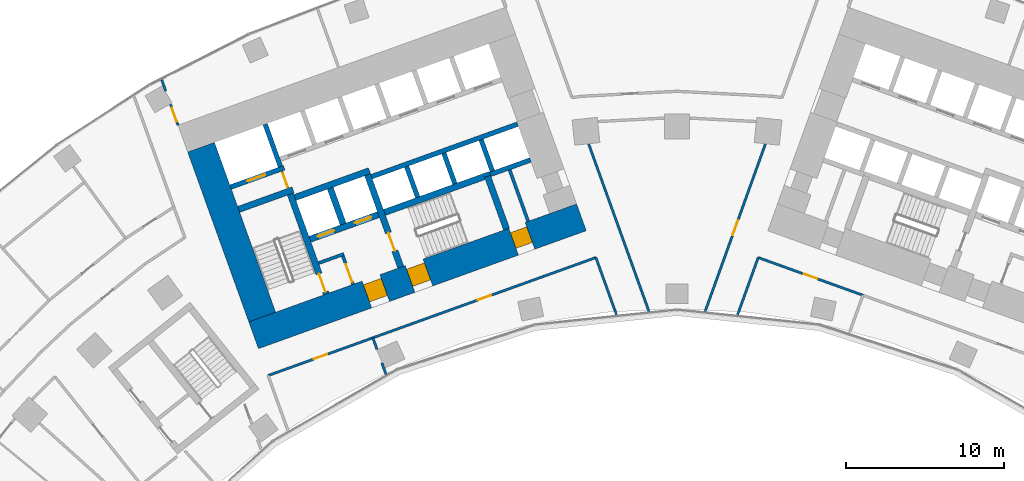
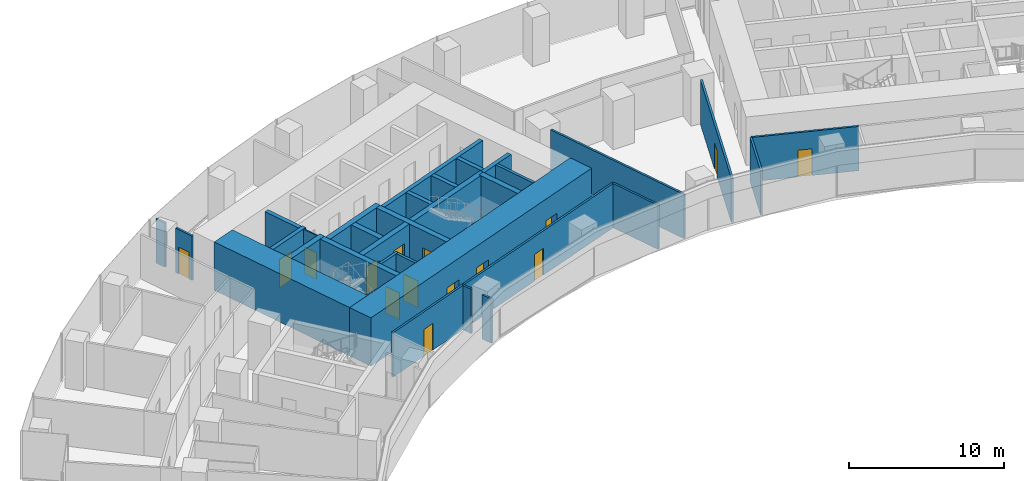
# One storey, part 15 of 21: 31 walls, 15 doors, 15 openings.
"""IFC4 building model written with IfcOpenShell, lengths in metres."""

from ifc_helpers import new_model, si_unit, direction, frame, frame_2d, origin, place, context, subcontext, project, spatial, rectangle, extrude, material, layer, layer_set, type_object, element, fill, save


model = new_model("IFC4")

# Units and contexts
model_context = context("Model", 3, precision=1e-05, world=origin(), true_north=direction((0.0, 1.0)))
body_context = subcontext(model_context, "Body", "Model", "MODEL_VIEW")
ifc_project = project(units=[si_unit("LENGTHUNIT", "METRE"), si_unit("AREAUNIT", "SQUARE_METRE"), si_unit("VOLUMEUNIT", "CUBIC_METRE"), si_unit("PLANEANGLEUNIT", "RADIAN"), si_unit("MASSUNIT", "GRAM", prefix="KILO")], contexts=[model_context])

# Site, building, storey
site_placement = place(None, origin())
site = spatial("IfcSite", under=ifc_project, at=site_placement, CompositionType="ELEMENT")
building_placement = place(site_placement, origin())
building = spatial("IfcBuilding", under=site, at=building_placement, Name="Stone Belt Terrace Tower", CompositionType="ELEMENT")
storey_placement = place(building_placement, frame((0.0, 0.0, 71.800048828125)))
storey = spatial("IfcBuildingStorey", under=building, at=storey_placement, Name="L17", CompositionType="ELEMENT", Elevation=71.800048828125)

# Wall, opening, door
ifc_material_1 = material(Name="Plasterboard partition")
ifc_layer_1 = layer(ifc_material_1, 0.10009765625)
ifc_layer_set_1 = layer_set([ifc_layer_1], Name="Core partition 100")
wall_type_1 = type_object("IfcWallType", Name="Core partition 100", PredefinedType="PARTITIONING", material=ifc_layer_set_1)
wall_1_placement = place(storey_placement, frame((-24.555908203125, 51.10400390625, 0.0), z_axis=(0.0, 0.0, 1.0), x_axis=(-0.338621735342, 0.94092258999, 0.0)))
wall_1 = element("IfcWall", 1, at=wall_1_placement, inside=storey, type_object=wall_type_1, Name="Core A wall", PredefinedType="PARTITIONING", context=body_context, shape_type="SweptSolid", body=[
    extrude(rectangle(XDim=1.14990234375, YDim=0.10009765625, at=frame_2d((0.574951171875, 0.0))), origin(), (0.0, 0.0, 1.0), 3.47998046875),
])
opening_1_placement = place(wall_1_placement, frame((0.050048828125, 0.0, 0.0)))
opening_1 = element("IfcOpeningElement", 2, at=opening_1_placement, cuts=wall_1, Name="Opening L17-C01", PredefinedType="OPENING", context=body_context, shape_type="SweptSolid", body=[
    extrude(rectangle(XDim=1.0, YDim=2.10009765625, at=frame_2d((0.5, 1.050048828125))), frame((0.0, 0.06005859375, 0.0), z_axis=(0.0, -1.0, 0.0), x_axis=(1.0, 0.0, 0.0)), (0.0, 0.0, 1.0), 0.1201171875),
])
ifc_material_2 = material(Name="Timber door leaf", Category="wood")
door_type_1 = type_object("IfcDoorType", Name="Core room door 1000", OperationType="SINGLE_SWING_LEFT", PredefinedType="DOOR", material=ifc_material_2)
door_1_placement = place(opening_1_placement, origin())
door_1 = element("IfcDoor", 3, at=door_1_placement, inside=storey, type_object=door_type_1, Name="Service lift lobby door core A", OperationType="SINGLE_SWING_LEFT", OverallHeight=2.10009765625, OverallWidth=1.0, PredefinedType="DOOR", context=body_context, shape_type="SweptSolid", body=[
    extrude(rectangle(XDim=1.0, YDim=2.10009765625, at=frame_2d((0.5, 1.050048828125))), frame((0.0, 0.02490234375, 0.0), z_axis=(0.0, -1.0, 0.0), x_axis=(1.0, 0.0, 0.0)), (0.0, 0.0, 1.0), 0.050048828125),
])
fill(opening_1, door_1)

# Wall, openings, doors
ifc_material_3 = material(Name="Concrete B80", Category="concrete")
ifc_layer_2 = layer(ifc_material_3, 1.800048828125)
ifc_layer_set_2 = layer_set([ifc_layer_2], Name="Core wall 1800 B80")
wall_type_2 = type_object("IfcWallType", Name="Core wall 1800 B80", PredefinedType="SHEAR", material=ifc_layer_set_2)
wall_2_placement = place(storey_placement, frame((-26.739501953125, 41.815673828125, 0.0), z_axis=(0.0, 0.0, 1.0), x_axis=(0.940921642213, 0.338624368902, 0.0)))
wall_2 = element("IfcWall", 4, at=wall_2_placement, inside=storey, type_object=wall_type_2, Name="Core A wall concave L17", PredefinedType="SHEAR", context=body_context, shape_type="SweptSolid", body=[
    extrude(rectangle(XDim=22.0, YDim=1.800048828125, at=frame_2d((11.0, 0.0))), origin(), (0.0, 0.0, 1.0), 3.800048828125),
])
opening_2_placement = place(wall_2_placement, frame((7.60009765625, 0.0, 0.0)))
opening_2 = element("IfcOpeningElement", 5, at=opening_2_placement, cuts=wall_2, Name="Opening L17-C05", PredefinedType="OPENING", context=body_context, shape_type="SweptSolid", body=[
    extrude(rectangle(XDim=1.199951171875, YDim=2.10009765625, at=frame_2d((0.60009765625, 1.050048828125))), frame((0.0, 0.909912109375, 0.0), z_axis=(0.0, -1.0, 0.0), x_axis=(1.0, 0.0, 0.0)), (0.0, 0.0, 1.0), 1.820068359375),
])
opening_3_placement = place(wall_2_placement, frame((10.5, 0.0, 0.0)))
opening_3 = element("IfcOpeningElement", 6, at=opening_3_placement, cuts=wall_2, Name="Opening L17-C07", PredefinedType="OPENING", context=body_context, shape_type="SweptSolid", body=[
    extrude(rectangle(XDim=1.199951171875, YDim=2.10009765625, at=frame_2d((0.60009765625, 1.050048828125))), frame((0.0, 0.909912109375, 0.0), z_axis=(0.0, -1.0, 0.0), x_axis=(1.0, 0.0, 0.0)), (0.0, 0.0, 1.0), 1.820068359375),
])
opening_4_placement = place(wall_2_placement, frame((17.449951171875, 0.0, 0.0)))
opening_4 = element("IfcOpeningElement", 7, at=opening_4_placement, cuts=wall_2, Name="Opening L17-C09", PredefinedType="OPENING", context=body_context, shape_type="SweptSolid", body=[
    extrude(rectangle(XDim=1.10009765625, YDim=2.10009765625, at=frame_2d((0.550048828125, 1.050048828125))), frame((0.0, 0.909912109375, 0.0), z_axis=(0.0, -1.0, 0.0), x_axis=(1.0, 0.0, 0.0)), (0.0, 0.0, 1.0), 1.820068359375),
])
door_type_2 = type_object("IfcDoorType", Name="Core room door 1100", OperationType="SINGLE_SWING_LEFT", PredefinedType="DOOR", material=ifc_material_2)
door_2_placement = place(opening_4_placement, origin())
door_2 = element("IfcDoor", 8, at=door_2_placement, inside=storey, type_object=door_type_2, Name="Door to Communications riser room core A", OperationType="SINGLE_SWING_LEFT", OverallHeight=2.10009765625, OverallWidth=1.10009765625, PredefinedType="DOOR", context=body_context, shape_type="SweptSolid", body=[
    extrude(rectangle(XDim=1.10009765625, YDim=2.10009765625, at=frame_2d((0.550048828125, 1.050048828125))), frame((0.0, 0.60498046875, 0.0), z_axis=(0.0, -1.0, 0.0), x_axis=(1.0, 0.0, 0.0)), (0.0, 0.0, 1.0), 1.050048828125),
])
fill(opening_4, door_2)
ifc_material_4 = material(Name="Steel door leaf", Category="steel")
door_type_3 = type_object("IfcDoorType", Name="Fire-fighting lobby door 1200", OperationType="SINGLE_SWING_LEFT", PredefinedType="DOOR", material=ifc_material_4)
door_3_placement = place(opening_2_placement, origin())
door_3 = element("IfcDoor", 9, at=door_3_placement, inside=storey, type_object=door_type_3, Name="Fire-fighting lobby door core A", OperationType="SINGLE_SWING_LEFT", OverallHeight=2.10009765625, OverallWidth=1.199951171875, PredefinedType="DOOR", context=body_context, shape_type="SweptSolid", body=[
    extrude(rectangle(XDim=1.199951171875, YDim=2.10009765625, at=frame_2d((0.60009765625, 1.050048828125))), frame((0.0, 0.655029296875, 0.0), z_axis=(0.0, -1.0, 0.0), x_axis=(1.0, 0.0, 0.0)), (0.0, 0.0, 1.0), 1.14990234375),
])
fill(opening_2, door_3)
door_type_4 = type_object("IfcDoorType", Name="Stair door 1200", OperationType="SINGLE_SWING_LEFT", PredefinedType="DOOR", material=ifc_material_4)
door_4_placement = place(opening_3_placement, origin())
door_4 = element("IfcDoor", 10, at=door_4_placement, inside=storey, type_object=door_type_4, Name="Stair 2 exit door core A", OperationType="SINGLE_SWING_RIGHT", OverallHeight=2.10009765625, OverallWidth=1.199951171875, PredefinedType="DOOR", context=body_context, shape_type="SweptSolid", body=[
    extrude(rectangle(XDim=1.199951171875, YDim=2.10009765625, at=frame_2d((0.60009765625, 1.050048828125))), frame((0.0, 0.655029296875, 0.0), z_axis=(0.0, -1.0, 0.0), x_axis=(1.0, 0.0, 0.0)), (0.0, 0.0, 1.0), 1.14990234375),
])
fill(opening_3, door_4)

# Walls
wall_3_placement = place(storey_placement, frame((-26.197509765625, 42.96728515625, 0.0), z_axis=(0.0, 0.0, 1.0), x_axis=(-0.338625431531, 0.940921259788, 0.0)))
element("IfcWall", 11, at=wall_3_placement, inside=storey, type_object=wall_type_2, Name="Core A wall end_a L17", PredefinedType="SHEAR", context=body_context, shape_type="SweptSolid", body=[
    extrude(rectangle(XDim=11.400146484375, YDim=1.800048828125, at=frame_2d((5.7001953125, 0.0))), origin(), (0.0, 0.0, 1.0), 3.800048828125),
])
ifc_layer_3 = layer(ifc_material_3, 0.39990234375)
ifc_layer_set_3 = layer_set([ifc_layer_3], Name="Fire-fighting lift shaft wall 400")
wall_type_3 = type_object("IfcWallType", Name="Fire-fighting lift shaft wall 400", PredefinedType="SHEAR", material=ifc_layer_set_3)
wall_4_placement = place(storey_placement, frame((-24.130615234375, 50.512939453125, 0.0), z_axis=(0.0, 0.0, 1.0), x_axis=(0.94091168377, 0.338652038744, 0.0)))
element("IfcWall", 12, at=wall_4_placement, inside=storey, type_object=wall_type_3, Name="Core A wall", PredefinedType="SHEAR", context=body_context, shape_type="SweptSolid", body=[
    extrude(rectangle(XDim=5.000244140625, YDim=0.39990234375, at=frame_2d((2.5, 0.0))), origin(), (0.0, 0.0, 1.0), 3.47998046875),
])
wall_5_placement = place(storey_placement, frame((-21.0859375, 48.845458984375, 0.0), z_axis=(0.0, 0.0, 1.0), x_axis=(-0.338629416206, 0.940919825745, 0.0)))
element("IfcWall", 13, at=wall_5_placement, inside=storey, type_object=wall_type_3, Name="Core A wall", PredefinedType="SHEAR", context=body_context, shape_type="SweptSolid", body=[
    extrude(rectangle(XDim=2.400146484375, YDim=0.39990234375, at=frame_2d((1.2001953125, 0.0))), origin(), (0.0, 0.0, 1.0), 3.47998046875),
])

# Wall, opening, door
ifc_layer_4 = layer(ifc_material_3, 0.300048828125)
ifc_layer_set_4 = layer_set([ifc_layer_4], Name="Lift shaft wall 300")
wall_type_4 = type_object("IfcWallType", Name="Lift shaft wall 300", PredefinedType="SHEAR", material=ifc_layer_set_4)
wall_6_placement = place(storey_placement, frame((-28.195068359375, 51.17578125, 0.0), z_axis=(0.0, 0.0, 1.0), x_axis=(0.940901243567, 0.338681044427, 0.0)))
wall_6 = element("IfcWall", 14, at=wall_6_placement, inside=storey, type_object=wall_type_4, Name="Core A wall", PredefinedType="SHEAR", context=body_context, shape_type="SweptSolid", body=[
    extrude(rectangle(XDim=3.599853515625, YDim=0.300048828125, at=frame_2d((1.7998046875, 0.0))), origin(), (0.0, 0.0, 1.0), 3.47998046875),
])
opening_5_placement = place(wall_6_placement, frame((1.1201171875, 0.0, 0.0)))
opening_5 = element("IfcOpeningElement", 15, at=opening_5_placement, cuts=wall_6, Name="Opening L17-LD09", PredefinedType="OPENING", context=body_context, shape_type="SweptSolid", body=[
    extrude(rectangle(XDim=1.199951171875, YDim=2.199951171875, at=frame_2d((0.60009765625, 1.10009765625))), frame((0.0, 0.159912109375, 0.0), z_axis=(0.0, -1.0, 0.0), x_axis=(1.0, 0.0, 0.0)), (0.0, 0.0, 1.0), 0.320068359375),
])
ifc_material_5 = material(Name="Stainless steel door leaf", Category="steel")
door_type_5 = type_object("IfcDoorType", Name="Landing door 1200", OperationType="SLIDING_TO_LEFT", PredefinedType="DOOR", material=ifc_material_5)
door_5_placement = place(opening_5_placement, origin())
door_5 = element("IfcDoor", 16, at=door_5_placement, inside=storey, type_object=door_type_5, Name="Landing door SV1 core A", OperationType="SLIDING_TO_LEFT", OverallHeight=2.199951171875, OverallWidth=1.199951171875, PredefinedType="DOOR", context=body_context, shape_type="SweptSolid", body=[
    extrude(rectangle(XDim=1.199951171875, YDim=2.199951171875, at=frame_2d((0.60009765625, 1.10009765625))), frame((0.0, 0.02490234375, 0.0), z_axis=(0.0, -1.0, 0.0), x_axis=(1.0, 0.0, 0.0)), (0.0, 0.0, 1.0), 0.050048828125),
])
fill(opening_5, door_5)

# Walls
wall_7_placement = place(storey_placement, frame((-25.046875, 52.46826171875, 0.0), z_axis=(0.0, 0.0, 1.0), x_axis=(-0.338549588058, 0.940948551423, 0.0)))
element("IfcWall", 17, at=wall_7_placement, inside=storey, type_object=wall_type_4, Name="Core A wall", PredefinedType="SHEAR", context=body_context, shape_type="SweptSolid", body=[
    extrude(rectangle(XDim=2.849853515625, YDim=0.300048828125, at=frame_2d((1.4248046875, 0.0))), origin(), (0.0, 0.0, 1.0), 3.47998046875),
])
wall_8_placement = place(storey_placement, frame((-19.29052734375, 51.829833984375, 0.0), z_axis=(0.0, 0.0, 1.0), x_axis=(0.940925833398, 0.338612722803, 0.0)))
element("IfcWall", 18, at=wall_8_placement, inside=storey, type_object=wall_type_4, Name="Core A wall", PredefinedType="SHEAR", context=body_context, shape_type="SweptSolid", body=[
    extrude(rectangle(XDim=9.7998046875, YDim=0.300048828125, at=frame_2d((4.89990234375, 0.0))), origin(), (0.0, 0.0, 1.0), 3.47998046875),
])
for number, where, z_axis, x_axis, name in (
    (19, (-16.38134765625, 50.53857421875, 0.0), (0.0, 0.0, 1.0), (-0.338681515556, 0.940901073982, 0.0), "Core A wall"),
    (20, (-14.029052734375, 51.38525390625, 0.0), (0.0, 0.0, 1.0), (-0.338681515556, 0.940901073982, 0.0), "Core A wall"),
):
    element("IfcWall", number, at=place(storey_placement, frame(where, z_axis=z_axis, x_axis=x_axis)), inside=storey, type_object=wall_type_4, Name=name, PredefinedType="SHEAR", context=body_context, shape_type="SweptSolid", body=[
        extrude(rectangle(XDim=2.050048828125, YDim=0.300048828125, at=frame_2d((1.02490234375, 0.0))), origin(), (0.0, 0.0, 1.0), 3.47998046875),
    ])
wall_9_placement = place(storey_placement, frame((-11.797119140625, 51.975830078125, 0.0), z_axis=(0.0, 0.0, 1.0), x_axis=(0.940910465161, 0.33865542451, 0.0)))
element("IfcWall", 21, at=wall_9_placement, inside=storey, type_object=wall_type_4, Name="Core A wall", PredefinedType="SHEAR", context=body_context, shape_type="SweptSolid", body=[
    extrude(rectangle(XDim=2.69970703125, YDim=0.300048828125, at=frame_2d((1.349853515625, 0.0))), origin(), (0.0, 0.0, 1.0), 3.47998046875),
])
wall_10_placement = place(storey_placement, frame((-11.659912109375, 52.184814453125, 0.0), z_axis=(0.0, 0.0, 1.0), x_axis=(-0.338670064856, 0.940905195634, 0.0)))
element("IfcWall", 22, at=wall_10_placement, inside=storey, type_object=wall_type_4, Name="Core A wall", PredefinedType="SHEAR", context=body_context, shape_type="SweptSolid", body=[
    extrude(rectangle(XDim=2.099853515625, YDim=0.300048828125, at=frame_2d((1.0498046875, 0.0))), origin(), (0.0, 0.0, 1.0), 3.47998046875),
])
ifc_material_6 = material(Name="Gypsum board partition")
ifc_layer_5 = layer(ifc_material_6, 0.14990234375)
ifc_layer_set_5 = layer_set([ifc_layer_5], Name="PARTITION 150 EI 60")
wall_type_5 = type_object("IfcWallType", Name="PARTITION 150 EI 60", PredefinedType="PARTITIONING", material=ifc_layer_set_5)
wall_11_placement = place(storey_placement, frame((-32.5458984375, 57.947998046875, 0.0), z_axis=(0.0, 0.0, 1.0), x_axis=(0.338960201827, -0.940800712998, 0.0)))
element("IfcWall", 23, at=wall_11_placement, inside=storey, type_object=wall_type_5, Name="L17/wall/i002", PredefinedType="PARTITIONING", context=body_context, shape_type="SweptSolid", body=[
    extrude(rectangle(XDim=0.754150390625, YDim=0.14990234375, at=frame_2d((0.376953125, 0.0))), origin(), (0.0, 0.0, 1.0), 3.47998046875),
])

# Wall, opening, door
wall_12_placement = place(storey_placement, frame((-31.98681640625, 56.39599609375, 0.0), z_axis=(0.0, 0.0, 1.0), x_axis=(0.338861945182, -0.940836107995, 0.0)))
wall_12 = element("IfcWall", 24, at=wall_12_placement, inside=storey, type_object=wall_type_5, Name="L17/wall/i003", PredefinedType="PARTITIONING", context=body_context, shape_type="SweptSolid", body=[
    extrude(rectangle(XDim=1.3955078125, YDim=0.14990234375, at=frame_2d((0.69775390625, 0.0))), origin(), (0.0, 0.0, 1.0), 3.47998046875),
])
opening_6_placement = place(wall_12_placement, frame((0.247802734375, 0.0, 0.0)))
opening_6 = element("IfcOpeningElement", 25, at=opening_6_placement, cuts=wall_12, Name="Opening D-A5-03", PredefinedType="OPENING", context=body_context, shape_type="SweptSolid", body=[
    extrude(rectangle(XDim=0.89990234375, YDim=2.10009765625, at=frame_2d((0.449951171875, 1.050048828125))), frame((0.0, 0.0849609375, 0.0), z_axis=(0.0, -1.0, 0.0), x_axis=(1.0, 0.0, 0.0)), (0.0, 0.0, 1.0), 0.169921875),
])
door_type_6 = type_object("IfcDoorType", Name="OFFICE DOOR 900 X 2100", OperationType="NOTDEFINED", PredefinedType="DOOR", material=ifc_material_2)
door_6_placement = place(opening_6_placement, origin())
door_6 = element("IfcDoor", 26, at=door_6_placement, inside=storey, type_object=door_type_6, Name="L17/door/i03", OperationType="SINGLE_SWING_RIGHT", OverallHeight=2.10009765625, OverallWidth=0.89990234375, PredefinedType="DOOR", context=body_context, shape_type="SweptSolid", body=[
    extrude(rectangle(XDim=0.89990234375, YDim=2.10009765625, at=frame_2d((0.449951171875, 1.050048828125))), frame((0.0, 0.02490234375, 0.0), z_axis=(0.0, -1.0, 0.0), x_axis=(1.0, 0.0, 0.0)), (0.0, 0.0, 1.0), 0.050048828125),
])
fill(opening_6, door_6)

# Walls
wall_13_placement = place(storey_placement, frame((-3.819580078125, 43.0986328125, 0.0), z_axis=(0.0, 0.0, 1.0), x_axis=(-0.338659002829, 0.940909177234, 0.0)))
element("IfcWall", 27, at=wall_13_placement, inside=storey, type_object=wall_type_5, Name="L17/wall/i008", PredefinedType="PARTITIONING", context=body_context, shape_type="SweptSolid", body=[
    extrude(rectangle(XDim=3.8603515625, YDim=0.14990234375, at=frame_2d((1.93017578125, 0.0))), origin(), (0.0, 0.0, 1.0), 3.47998046875),
])
wall_14_placement = place(storey_placement, frame((-5.574951171875, 53.88232421875, 0.0), z_axis=(0.0, 0.0, 1.0), x_axis=(0.338622486498, -0.940922319662, 0.0)))
element("IfcWall", 28, at=wall_14_placement, inside=storey, type_object=wall_type_5, Name="L17/wall/i010", PredefinedType="PARTITIONING", context=body_context, shape_type="SweptSolid", body=[
    extrude(rectangle(XDim=11.232177734375, YDim=0.14990234375, at=frame_2d((5.6162109375, 0.0))), origin(), (0.0, 0.0, 1.0), 3.47998046875),
])

# Wall, opening, door
wall_15_placement = place(storey_placement, frame((-19.2041015625, 41.657958984375, 0.0), z_axis=(0.0, 0.0, 1.0), x_axis=(-0.940907755702, -0.338662952299, 0.0)))
wall_15 = element("IfcWall", 29, at=wall_15_placement, inside=storey, type_object=wall_type_5, Name="L17/wall/i012", PredefinedType="PARTITIONING", context=body_context, shape_type="SweptSolid", body=[
    extrude(rectangle(XDim=7.03662109375, YDim=0.14990234375, at=frame_2d((3.518310546875, 0.0))), origin(), (0.0, 0.0, 1.0), 3.47998046875),
])
opening_7_placement = place(wall_15_placement, frame((3.068359375, 0.0, 0.0)))
opening_7 = element("IfcOpeningElement", 30, at=opening_7_placement, cuts=wall_15, Name="Opening D-A5-01", PredefinedType="OPENING", context=body_context, shape_type="SweptSolid", body=[
    extrude(rectangle(XDim=0.89990234375, YDim=2.10009765625, at=frame_2d((0.449951171875, 1.050048828125))), frame((0.0, 0.0849609375, 0.0), z_axis=(0.0, -1.0, 0.0), x_axis=(1.0, 0.0, 0.0)), (0.0, 0.0, 1.0), 0.169921875),
])
door_7_placement = place(opening_7_placement, origin())
door_7 = element("IfcDoor", 31, at=door_7_placement, inside=storey, type_object=door_type_6, Name="L17/door/i01", OperationType="SINGLE_SWING_RIGHT", OverallHeight=2.10009765625, OverallWidth=0.89990234375, PredefinedType="DOOR", context=body_context, shape_type="SweptSolid", body=[
    extrude(rectangle(XDim=0.89990234375, YDim=2.10009765625, at=frame_2d((0.449951171875, 1.050048828125))), frame((0.0, 0.02490234375, 0.0), z_axis=(0.0, -1.0, 0.0), x_axis=(1.0, 0.0, 0.0)), (0.0, 0.0, 1.0), 0.050048828125),
])
fill(opening_7, door_7)

wall_16_placement = place(storey_placement, frame((-5.125, 46.72509765625, 0.0), z_axis=(0.0, 0.0, 1.0), x_axis=(-0.940924398341, -0.338616710466, 0.0)))
wall_16 = element("IfcWall", 32, at=wall_16_placement, inside=storey, type_object=wall_type_5, Name="L17/wall/i013", PredefinedType="PARTITIONING", context=body_context, shape_type="SweptSolid", body=[
    extrude(rectangle(XDim=14.975830078125, YDim=0.14990234375, at=frame_2d((7.48779296875, 0.0))), origin(), (0.0, 0.0, 1.0), 3.47998046875),
])
opening_8_placement = place(wall_16_placement, frame((7.037841796875, 0.0, 0.0)))
opening_8 = element("IfcOpeningElement", 33, at=opening_8_placement, cuts=wall_16, Name="Opening D-A5-02", PredefinedType="OPENING", context=body_context, shape_type="SweptSolid", body=[
    extrude(rectangle(XDim=0.89990234375, YDim=2.10009765625, at=frame_2d((0.449951171875, 1.050048828125))), frame((0.0, 0.0849609375, 0.0), z_axis=(0.0, -1.0, 0.0), x_axis=(1.0, 0.0, 0.0)), (0.0, 0.0, 1.0), 0.169921875),
])
door_8_placement = place(opening_8_placement, origin())
door_8 = element("IfcDoor", 34, at=door_8_placement, inside=storey, type_object=door_type_6, Name="L17/door/i02", OperationType="SINGLE_SWING_RIGHT", OverallHeight=2.10009765625, OverallWidth=0.89990234375, PredefinedType="DOOR", context=body_context, shape_type="SweptSolid", body=[
    extrude(rectangle(XDim=0.89990234375, YDim=2.10009765625, at=frame_2d((0.449951171875, 1.050048828125))), frame((0.0, 0.02490234375, 0.0), z_axis=(0.0, -1.0, 0.0), x_axis=(1.0, 0.0, 0.0)), (0.0, 0.0, 1.0), 0.050048828125),
])
fill(opening_8, door_8)

# Walls
wall_17_placement = place(storey_placement, frame((-19.2099609375, 41.656005859375, 0.0), z_axis=(0.0, 0.0, 1.0), x_axis=(0.338584750812, -0.940935899261, 0.0)))
element("IfcWall", 35, at=wall_17_placement, inside=storey, type_object=wall_type_5, Name="L17/wall/i014", PredefinedType="PARTITIONING", context=body_context, shape_type="SweptSolid", body=[
    extrude(rectangle(XDim=0.77001953125, YDim=0.14990234375, at=frame_2d((0.385009765625, 0.0))), origin(), (0.0, 0.0, 1.0), 3.47998046875),
])
wall_18_placement = place(storey_placement, frame((-18.637939453125, 40.06640625, 0.0), z_axis=(0.0, 0.0, 1.0), x_axis=(0.338933376884, -0.940810377299, 0.0)))
element("IfcWall", 36, at=wall_18_placement, inside=storey, type_object=wall_type_5, Name="L17/wall/i015", PredefinedType="PARTITIONING", context=body_context, shape_type="SweptSolid", body=[
    extrude(rectangle(XDim=0.767822265625, YDim=0.14990234375, at=frame_2d((0.3837890625, 0.0))), origin(), (0.0, 0.0, 1.0), 3.47998046875),
])
wall_19_placement = place(storey_placement, frame((5.126953125, 46.73095703125, 0.0), z_axis=(0.0, 0.0, 1.0), x_axis=(-0.338659002829, -0.940909177234, 0.0)))
element("IfcWall", 37, at=wall_19_placement, inside=storey, type_object=wall_type_5, Name="L17/wall/i017", PredefinedType="PARTITIONING", context=body_context, shape_type="SweptSolid", body=[
    extrude(rectangle(XDim=3.8603515625, YDim=0.14990234375, at=frame_2d((1.93017578125, 0.0))), origin(), (0.0, 0.0, 1.0), 3.47998046875),
])

# Wall, opening, door
wall_20_placement = place(storey_placement, frame((1.771484375, 43.313720703125, 0.0), z_axis=(0.0, 0.0, 1.0), x_axis=(0.338622486498, 0.940922319662, 0.0)))
wall_20 = element("IfcWall", 38, at=wall_20_placement, inside=storey, type_object=wall_type_5, Name="L17/wall/i019", PredefinedType="PARTITIONING", context=body_context, shape_type="SweptSolid", body=[
    extrude(rectangle(XDim=11.232177734375, YDim=0.14990234375, at=frame_2d((5.6162109375, 0.0))), origin(), (0.0, 0.0, 1.0), 3.47998046875),
])
opening_9_placement = place(wall_20_placement, frame((5.1162109375, 0.0, 0.0)))
opening_9 = element("IfcOpeningElement", 39, at=opening_9_placement, cuts=wall_20, Name="Opening D-A5-24", PredefinedType="OPENING", context=body_context, shape_type="SweptSolid", body=[
    extrude(rectangle(XDim=1.0, YDim=2.10009765625, at=frame_2d((0.5, 1.050048828125))), frame((0.0, 0.0849609375, 0.0), z_axis=(0.0, -1.0, 0.0), x_axis=(1.0, 0.0, 0.0)), (0.0, 0.0, 1.0), 0.169921875),
])
ifc_material_7 = material(Name="Timber fire door leaf", Category="wood")
door_type_7 = type_object("IfcDoorType", Name="TENANCY ENTRANCE DOOR 1000 X 2100", OperationType="NOTDEFINED", PredefinedType="DOOR", material=ifc_material_7)
door_9_placement = place(opening_9_placement, origin())
door_9 = element("IfcDoor", 40, at=door_9_placement, inside=storey, type_object=door_type_7, Name="L17/door/i24", OperationType="SINGLE_SWING_LEFT", OverallHeight=2.10009765625, OverallWidth=1.0, PredefinedType="DOOR", context=body_context, shape_type="SweptSolid", body=[
    extrude(rectangle(XDim=1.0, YDim=2.10009765625, at=frame_2d((0.5, 1.050048828125))), frame((0.0, 0.02490234375, 0.0), z_axis=(0.0, -1.0, 0.0), x_axis=(1.0, 0.0, 0.0)), (0.0, 0.0, 1.0), 0.050048828125),
])
fill(opening_9, door_9)

wall_21_placement = place(storey_placement, frame((11.74609375, 44.342041015625, 0.0), z_axis=(0.0, 0.0, 1.0), x_axis=(-0.940911734826, 0.338651896889, 0.0)))
wall_21 = element("IfcWall", 41, at=wall_21_placement, inside=storey, type_object=wall_type_5, Name="L17/wall/i027", PredefinedType="PARTITIONING", context=body_context, shape_type="SweptSolid", body=[
    extrude(rectangle(XDim=7.036865234375, YDim=0.14990234375, at=frame_2d((3.5185546875, 0.0))), origin(), (0.0, 0.0, 1.0), 3.47998046875),
])
opening_10_placement = place(wall_21_placement, frame((3.068359375, 0.0, 0.0)))
opening_10 = element("IfcOpeningElement", 42, at=opening_10_placement, cuts=wall_21, Name="Opening D-A5-05", PredefinedType="OPENING", context=body_context, shape_type="SweptSolid", body=[
    extrude(rectangle(XDim=0.89990234375, YDim=2.10009765625, at=frame_2d((0.449951171875, 1.050048828125))), frame((0.0, 0.0849609375, 0.0), z_axis=(0.0, -1.0, 0.0), x_axis=(1.0, 0.0, 0.0)), (0.0, 0.0, 1.0), 0.169921875),
])
door_10_placement = place(opening_10_placement, origin())
door_10 = element("IfcDoor", 43, at=door_10_placement, inside=storey, type_object=door_type_6, Name="L17/door/i05", OperationType="SINGLE_SWING_RIGHT", OverallHeight=2.10009765625, OverallWidth=0.89990234375, PredefinedType="DOOR", context=body_context, shape_type="SweptSolid", body=[
    extrude(rectangle(XDim=0.89990234375, YDim=2.10009765625, at=frame_2d((0.449951171875, 1.050048828125))), frame((0.0, 0.02490234375, 0.0), z_axis=(0.0, -1.0, 0.0), x_axis=(1.0, 0.0, 0.0)), (0.0, 0.0, 1.0), 0.050048828125),
])
fill(opening_10, door_10)

# Wall
ifc_material_8 = material(Name="Concrete masonry block", Category="masonry")
ifc_layer_6 = layer(ifc_material_8, 0.199951171875)
ifc_layer_set_6 = layer_set([ifc_layer_6], Name="Rated lobby wall 200")
wall_type_6 = type_object("IfcWallType", Name="Rated lobby wall 200", PredefinedType="PARTITIONING", material=ifc_layer_set_6)
wall_22_placement = place(storey_placement, frame((-22.640625, 46.373046875, 0.0), z_axis=(0.0, 0.0, 1.0), x_axis=(0.940966110313, 0.338500781747, 0.0)))
element("IfcWall", 44, at=wall_22_placement, inside=storey, type_object=wall_type_6, Name="Core A wall", PredefinedType="PARTITIONING", context=body_context, shape_type="SweptSolid", body=[
    extrude(rectangle(XDim=1.699951171875, YDim=0.199951171875, at=frame_2d((0.85009765625, 0.0))), origin(), (0.0, 0.0, 1.0), 3.47998046875),
])

# Wall, opening, door
wall_23_placement = place(storey_placement, frame((-20.4580078125, 45.032958984375, 0.0), z_axis=(0.0, 0.0, 1.0), x_axis=(-0.338573865316, 0.940939816208, 0.0)))
wall_23 = element("IfcWall", 45, at=wall_23_placement, inside=storey, type_object=wall_type_6, Name="Core A wall", PredefinedType="PARTITIONING", context=body_context, shape_type="SweptSolid", body=[
    extrude(rectangle(XDim=1.900146484375, YDim=0.199951171875, at=frame_2d((0.9501953125, 0.0))), origin(), (0.0, 0.0, 1.0), 3.47998046875),
])
opening_11_placement = place(wall_23_placement, frame((0.14990234375, 0.0, 0.0)))
opening_11 = element("IfcOpeningElement", 46, at=opening_11_placement, cuts=wall_23, Name="Opening L17-C04", PredefinedType="OPENING", context=body_context, shape_type="SweptSolid", body=[
    extrude(rectangle(XDim=1.199951171875, YDim=2.10009765625, at=frame_2d((0.60009765625, 1.050048828125))), frame((0.0, 0.10986328125, 0.0), z_axis=(0.0, -1.0, 0.0), x_axis=(1.0, 0.0, 0.0)), (0.0, 0.0, 1.0), 0.219970703125),
])
door_11_placement = place(opening_11_placement, origin())
door_11 = element("IfcDoor", 47, at=door_11_placement, inside=storey, type_object=door_type_4, Name="Stair airlock door core A", OperationType="SINGLE_SWING_LEFT", OverallHeight=2.10009765625, OverallWidth=1.199951171875, PredefinedType="DOOR", context=body_context, shape_type="SweptSolid", body=[
    extrude(rectangle(XDim=1.199951171875, YDim=2.10009765625, at=frame_2d((0.60009765625, 1.050048828125))), frame((0.0, 0.02490234375, 0.0), z_axis=(0.0, -1.0, 0.0), x_axis=(1.0, 0.0, 0.0)), (0.0, 0.0, 1.0), 0.050048828125),
])
fill(opening_11, door_11)

# Walls
wall_24_placement = place(storey_placement, frame((-9.402099609375, 49.01171875, 0.0), z_axis=(0.0, 0.0, 1.0), x_axis=(-0.338599189079, 0.940930703695, 0.0)))
element("IfcWall", 48, at=wall_24_placement, inside=storey, type_object=wall_type_6, Name="Core A wall", PredefinedType="PARTITIONING", context=body_context, shape_type="SweptSolid", body=[
    extrude(rectangle(XDim=3.4501953125, YDim=0.199951171875, at=frame_2d((1.72509765625, 0.0))), origin(), (0.0, 0.0, 1.0), 3.47998046875),
])
ifc_layer_7 = layer(ifc_material_3, 0.39990234375)
ifc_layer_set_7 = layer_set([ifc_layer_7], Name="Stair enclosure wall 400")
wall_type_7 = type_object("IfcWallType", Name="Stair enclosure wall 400", PredefinedType="SHEAR", material=ifc_layer_set_7)
wall_25_placement = place(storey_placement, frame((-27.687255859375, 49.764404296875, 0.0), z_axis=(0.0, 0.0, 1.0), x_axis=(0.940918954884, 0.338631835981, 0.0)))
element("IfcWall", 49, at=wall_25_placement, inside=storey, type_object=wall_type_7, Name="Core A wall", PredefinedType="SHEAR", context=body_context, shape_type="SweptSolid", body=[
    extrude(rectangle(XDim=3.650146484375, YDim=0.39990234375, at=frame_2d((1.8251953125, 0.0))), origin(), (0.0, 0.0, 1.0), 3.47998046875),
])

# Wall, opening, door
wall_26_placement = place(storey_placement, frame((-22.151611328125, 44.42333984375, 0.0), z_axis=(0.0, 0.0, 1.0), x_axis=(-0.338625272931, 0.940921316866, 0.0)))
wall_26 = element("IfcWall", 50, at=wall_26_placement, inside=storey, type_object=wall_type_7, Name="Core A wall", PredefinedType="SHEAR", context=body_context, shape_type="SweptSolid", body=[
    extrude(rectangle(XDim=6.699951171875, YDim=0.39990234375, at=frame_2d((3.35009765625, 0.0))), origin(), (0.0, 0.0, 1.0), 3.47998046875),
])
opening_12_placement = place(wall_26_placement, frame((0.14990234375, 0.0, 0.0)))
opening_12 = element("IfcOpeningElement", 51, at=opening_12_placement, cuts=wall_26, Name="Opening L17-C03", PredefinedType="OPENING", context=body_context, shape_type="SweptSolid", body=[
    extrude(rectangle(XDim=1.199951171875, YDim=2.10009765625, at=frame_2d((0.60009765625, 1.050048828125))), frame((0.0, 0.2099609375, 0.0), z_axis=(0.0, -1.0, 0.0), x_axis=(1.0, 0.0, 0.0)), (0.0, 0.0, 1.0), 0.419921875),
])
door_12_placement = place(opening_12_placement, origin())
door_12 = element("IfcDoor", 52, at=door_12_placement, inside=storey, type_object=door_type_4, Name="Stair 1 door core A", OperationType="SINGLE_SWING_LEFT", OverallHeight=2.10009765625, OverallWidth=1.199951171875, PredefinedType="DOOR", context=body_context, shape_type="SweptSolid", body=[
    extrude(rectangle(XDim=1.199951171875, YDim=2.10009765625, at=frame_2d((0.60009765625, 1.050048828125))), frame((0.0, 0.02490234375, 0.0), z_axis=(0.0, -1.0, 0.0), x_axis=(1.0, 0.0, 0.0)), (0.0, 0.0, 1.0), 0.050048828125),
])
fill(opening_12, door_12)

# Wall, openings, doors
wall_27_placement = place(storey_placement, frame((-23.182373046875, 47.87841796875, 0.0), z_axis=(0.0, 0.0, 1.0), x_axis=(0.940921101762, 0.338625870628, 0.0)))
wall_27 = element("IfcWall", 53, at=wall_27_placement, inside=storey, type_object=wall_type_7, Name="Core A wall", PredefinedType="SHEAR", context=body_context, shape_type="SweptSolid", body=[
    extrude(rectangle(XDim=12.10009765625, YDim=0.39990234375, at=frame_2d((6.050048828125, 0.0))), origin(), (0.0, 0.0, 1.0), 3.47998046875),
])
opening_13_placement = place(wall_27_placement, frame((0.52001953125, 0.0, 0.0)))
opening_13 = element("IfcOpeningElement", 54, at=opening_13_placement, cuts=wall_27, Name="Opening L17-LD07", PredefinedType="OPENING", context=body_context, shape_type="SweptSolid", body=[
    extrude(rectangle(XDim=1.10009765625, YDim=2.199951171875, at=frame_2d((0.550048828125, 1.10009765625))), frame((0.0, 0.2099609375, 0.0), z_axis=(0.0, -1.0, 0.0), x_axis=(1.0, 0.0, 0.0)), (0.0, 0.0, 1.0), 0.419921875),
])
opening_14_placement = place(wall_27_placement, frame((3.02001953125, 0.0, 0.0)))
opening_14 = element("IfcOpeningElement", 55, at=opening_14_placement, cuts=wall_27, Name="Opening L17-LD08", PredefinedType="OPENING", context=body_context, shape_type="SweptSolid", body=[
    extrude(rectangle(XDim=1.10009765625, YDim=2.199951171875, at=frame_2d((0.550048828125, 1.10009765625))), frame((0.0, 0.2099609375, 0.0), z_axis=(0.0, -1.0, 0.0), x_axis=(1.0, 0.0, 0.0)), (0.0, 0.0, 1.0), 0.419921875),
])
door_type_8 = type_object("IfcDoorType", Name="Landing door 1100", OperationType="SLIDING_TO_LEFT", PredefinedType="DOOR", material=ifc_material_5)
door_13_placement = place(opening_13_placement, origin())
door_13 = element("IfcDoor", 56, at=door_13_placement, inside=storey, type_object=door_type_8, Name="Landing door FF1 core A", OperationType="SLIDING_TO_LEFT", OverallHeight=2.199951171875, OverallWidth=1.10009765625, PredefinedType="DOOR", context=body_context, shape_type="SweptSolid", body=[
    extrude(rectangle(XDim=1.10009765625, YDim=2.199951171875, at=frame_2d((0.550048828125, 1.10009765625))), frame((0.0, 0.02490234375, 0.0), z_axis=(0.0, -1.0, 0.0), x_axis=(1.0, 0.0, 0.0)), (0.0, 0.0, 1.0), 0.050048828125),
])
fill(opening_13, door_13)
door_14_placement = place(opening_14_placement, origin())
door_14 = element("IfcDoor", 57, at=door_14_placement, inside=storey, type_object=door_type_8, Name="Landing door FF2 core A", OperationType="SLIDING_TO_LEFT", OverallHeight=2.199951171875, OverallWidth=1.10009765625, PredefinedType="DOOR", context=body_context, shape_type="SweptSolid", body=[
    extrude(rectangle(XDim=1.10009765625, YDim=2.199951171875, at=frame_2d((0.550048828125, 1.10009765625))), frame((0.0, 0.02490234375, 0.0), z_axis=(0.0, -1.0, 0.0), x_axis=(1.0, 0.0, 0.0)), (0.0, 0.0, 1.0), 0.050048828125),
])
fill(opening_14, door_14)

# Wall, opening, door
wall_28_placement = place(storey_placement, frame((-17.447021484375, 46.116455078125, 0.0), z_axis=(0.0, 0.0, 1.0), x_axis=(-0.33860791464, 0.940927563707, 0.0)))
wall_28 = element("IfcWall", 58, at=wall_28_placement, inside=storey, type_object=wall_type_7, Name="Core A wall", PredefinedType="SHEAR", context=body_context, shape_type="SweptSolid", body=[
    extrude(rectangle(XDim=6.199951171875, YDim=0.39990234375, at=frame_2d((3.10009765625, 0.0))), origin(), (0.0, 0.0, 1.0), 3.47998046875),
])
opening_15_placement = place(wall_28_placement, frame((1.10009765625, 0.0, 0.0)))
opening_15 = element("IfcOpeningElement", 59, at=opening_15_placement, cuts=wall_28, Name="Opening L17-C06", PredefinedType="OPENING", context=body_context, shape_type="SweptSolid", body=[
    extrude(rectangle(XDim=1.199951171875, YDim=2.10009765625, at=frame_2d((0.60009765625, 1.050048828125))), frame((0.0, 0.2099609375, 0.0), z_axis=(0.0, -1.0, 0.0), x_axis=(1.0, 0.0, 0.0)), (0.0, 0.0, 1.0), 0.419921875),
])
door_15_placement = place(opening_15_placement, origin())
door_15 = element("IfcDoor", 60, at=door_15_placement, inside=storey, type_object=door_type_4, Name="Stair 2 door core A", OperationType="SINGLE_SWING_LEFT", OverallHeight=2.10009765625, OverallWidth=1.199951171875, PredefinedType="DOOR", context=body_context, shape_type="SweptSolid", body=[
    extrude(rectangle(XDim=1.199951171875, YDim=2.10009765625, at=frame_2d((0.60009765625, 1.050048828125))), frame((0.0, 0.02490234375, 0.0), z_axis=(0.0, -1.0, 0.0), x_axis=(1.0, 0.0, 0.0)), (0.0, 0.0, 1.0), 0.050048828125),
])
fill(opening_15, door_15)

# Wall
wall_29_placement = place(storey_placement, frame((-10.766357421875, 48.520751953125, 0.0), z_axis=(0.0, 0.0, 1.0), x_axis=(-0.338626928157, 0.94092072117, 0.0)))
element("IfcWall", 61, at=wall_29_placement, inside=storey, type_object=wall_type_7, Name="Core A wall", PredefinedType="SHEAR", context=body_context, shape_type="SweptSolid", body=[
    extrude(rectangle(XDim=3.550048828125, YDim=0.39990234375, at=frame_2d((1.77490234375, 0.0))), origin(), (0.0, 0.0, 1.0), 3.47998046875),
])

save(model, "model.ifc")
